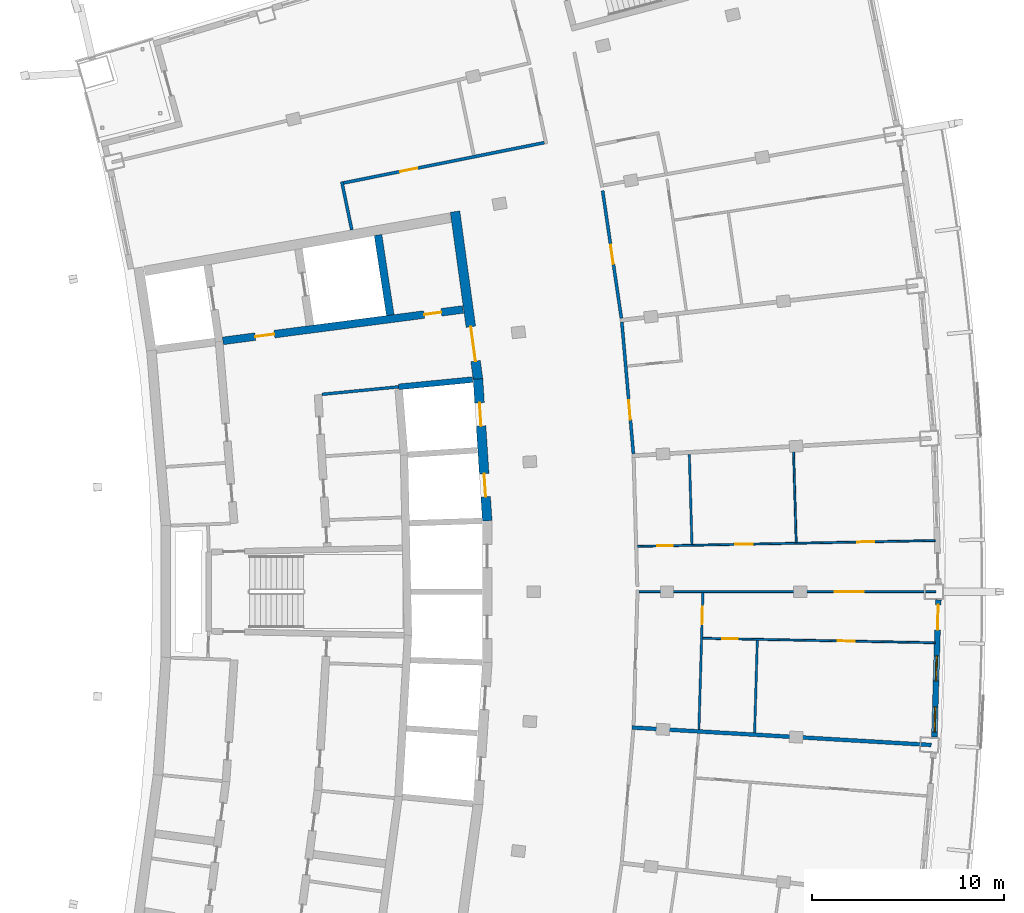
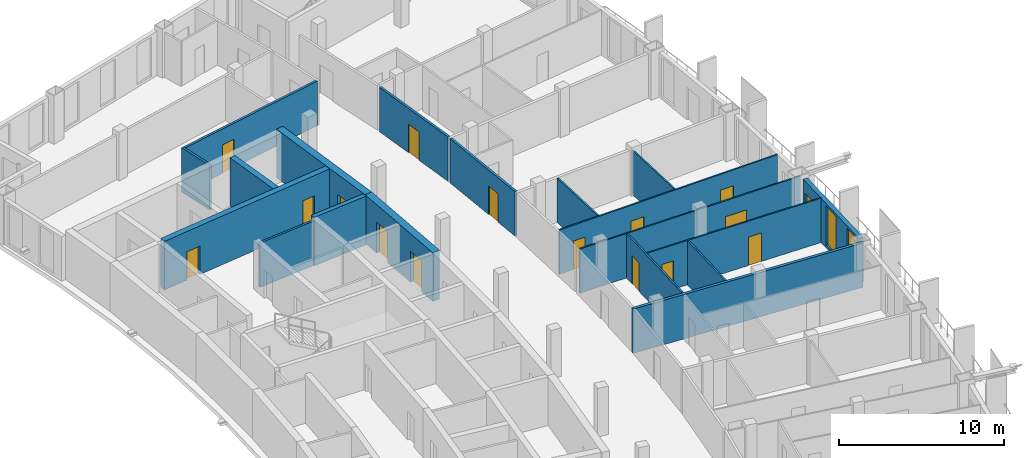
# One storey, part 11 of 20: 19 walls, 16 doors, 2 windows, 18 openings.
"""IFC4 building model written with IfcOpenShell, lengths in metres."""

from ifc_helpers import new_model, si_unit, direction, frame, frame_2d, origin, place, context, subcontext, project, spatial, rectangle, extrude, material, layer, layer_set, type_object, element, fill, save


model = new_model("IFC4")

# Units and contexts
model_context = context("Model", 3, precision=1e-05, world=origin(), true_north=direction((0.0, 1.0)))
body_context = subcontext(model_context, "Body", "Model", "MODEL_VIEW")
ifc_project = project(units=[si_unit("LENGTHUNIT", "METRE"), si_unit("AREAUNIT", "SQUARE_METRE"), si_unit("VOLUMEUNIT", "CUBIC_METRE"), si_unit("PLANEANGLEUNIT", "RADIAN"), si_unit("MASSUNIT", "GRAM", prefix="KILO")], contexts=[model_context])

# Site, building, storey
site_placement = place(None, origin())
site = spatial("IfcSite", under=ifc_project, at=site_placement, CompositionType="ELEMENT")
building_placement = place(site_placement, origin())
building = spatial("IfcBuilding", under=site, at=building_placement, Name="Alderwake Tower", CompositionType="ELEMENT")
storey_placement = place(building_placement, frame((0.0, 0.0, 263.60009765625)))
storey = spatial("IfcBuildingStorey", under=building, at=storey_placement, Name="L65", CompositionType="ELEMENT", Elevation=263.60009765625)

# Wall
ifc_material_1 = material(Name="Gypsum shaft wall system, rated")
ifc_layer_1 = layer(ifc_material_1, 0.14990234375)
ifc_layer_set_1 = layer_set([ifc_layer_1], Name="Core room partition 150")
wall_type_1 = type_object("IfcWallType", Name="Core room partition 150", PredefinedType="PARTITIONING", material=ifc_layer_set_1)
wall_1_placement = place(storey_placement, frame((24.799560546875, 71.2548828125, 0.0), z_axis=(0.0, 0.0, 1.0), x_axis=(0.995250000627, 0.097352125046, 0.0)))
element("IfcWall", 1, at=wall_1_placement, inside=storey, type_object=wall_type_1, Name="CW/L65/PR+102_+86", PredefinedType="PARTITIONING", context=body_context, shape_type="SweptSolid", body=[
    extrude(rectangle(XDim=4.0, YDim=0.14990234375, at=frame_2d((2.0, 0.0))), origin(), (0.0, 0.0, 1.0), 3.27978515625),
])

# Wall, openings, doors
ifc_material_2 = material(Name="Concrete C70/85", Category="concrete")
ifc_layer_2 = layer(ifc_material_2, 0.5)
ifc_layer_set_2 = layer_set([ifc_layer_2], Name="Core wall outer 500 C70-85")
wall_type_2 = type_object("IfcWallType", Name="Core wall outer 500 C70-85", PredefinedType="SHEAR", material=ifc_layer_set_2)
wall_2_placement = place(storey_placement, frame((33.390625, 64.679443359375, 0.0), z_axis=(0.0, 0.0, 1.0), x_axis=(-0.064980500916, 0.997886533881, 0.0)))
wall_2 = element("IfcWall", 2, at=wall_2_placement, inside=storey, type_object=wall_type_2, Name="Core wall CW.020", PredefinedType="SHEAR", context=body_context, shape_type="SweptSolid", body=[
    extrude(rectangle(XDim=7.39404296875, YDim=0.5, at=frame_2d((3.697021484375, 0.0))), origin(), (0.0, 0.0, 1.0), 3.599853515625),
])
opening_1_placement = place(wall_2_placement, frame((1.25244140625, 0.0, 0.0)))
opening_1 = element("IfcOpeningElement", 3, at=opening_1_placement, cuts=wall_2, Name="Opening LD-HP5", PredefinedType="OPENING", context=body_context, shape_type="SweptSolid", body=[
    extrude(rectangle(XDim=1.199951171875, YDim=2.300048828125, at=frame_2d((0.60009765625, 1.14990234375))), frame((0.0, 0.260009765625, 0.0), z_axis=(0.0, -1.0, 0.0), x_axis=(1.0, 0.0, 0.0)), (0.0, 0.0, 1.0), 0.52001953125),
])
opening_2_placement = place(wall_2_placement, frame((4.94091796875, 0.0, 0.0)))
opening_2 = element("IfcOpeningElement", 4, at=opening_2_placement, cuts=wall_2, Name="Opening LD-HP6", PredefinedType="OPENING", context=body_context, shape_type="SweptSolid", body=[
    extrude(rectangle(XDim=1.199951171875, YDim=2.300048828125, at=frame_2d((0.60009765625, 1.14990234375))), frame((0.0, 0.260009765625, 0.0), z_axis=(0.0, -1.0, 0.0), x_axis=(1.0, 0.0, 0.0)), (0.0, 0.0, 1.0), 0.52001953125),
])
ifc_material_3 = material(Name="Stainless steel sliding leaf", Category="steel")
door_type_1 = type_object("IfcDoorType", Name="Lift landing door 1200", OperationType="SLIDING_TO_LEFT", PredefinedType="DOOR", material=ifc_material_3)
door_1_placement = place(opening_1_placement, origin())
door_1 = element("IfcDoor", 5, at=door_1_placement, inside=storey, type_object=door_type_1, Name="Lift landing door HP5", OperationType="SLIDING_TO_LEFT", OverallHeight=2.300048828125, OverallWidth=1.199951171875, PredefinedType="DOOR", context=body_context, shape_type="SweptSolid", body=[
    extrude(rectangle(XDim=1.199951171875, YDim=2.300048828125, at=frame_2d((0.60009765625, 1.14990234375))), frame((0.0, 0.02490234375, 0.0), z_axis=(0.0, -1.0, 0.0), x_axis=(1.0, 0.0, 0.0)), (0.0, 0.0, 1.0), 0.050048828125),
])
fill(opening_1, door_1)
door_2_placement = place(opening_2_placement, origin())
door_2 = element("IfcDoor", 6, at=door_2_placement, inside=storey, type_object=door_type_1, Name="Lift landing door HP6", OperationType="SLIDING_TO_LEFT", OverallHeight=2.300048828125, OverallWidth=1.199951171875, PredefinedType="DOOR", context=body_context, shape_type="SweptSolid", body=[
    extrude(rectangle(XDim=1.199951171875, YDim=2.300048828125, at=frame_2d((0.60009765625, 1.14990234375))), frame((0.0, 0.02490234375, 0.0), z_axis=(0.0, -1.0, 0.0), x_axis=(1.0, 0.0, 0.0)), (0.0, 0.0, 1.0), 0.050048828125),
])
fill(opening_2, door_2)

# Wall, opening, door
wall_3_placement = place(storey_placement, frame((31.71728515625, 80.752685546875, 0.0), z_axis=(0.0, 0.0, 1.0), x_axis=(0.1358539401, -0.990728876615, 0.0)))
wall_3 = element("IfcWall", 7, at=wall_3_placement, inside=storey, type_object=wall_type_2, Name="Core wall CW.019", PredefinedType="SHEAR", context=body_context, shape_type="SweptSolid", body=[
    extrude(rectangle(XDim=8.794921875, YDim=0.5, at=frame_2d((4.3974609375, 0.0))), origin(), (0.0, 0.0, 1.0), 3.599853515625),
])
opening_3_placement = place(wall_3_placement, frame((6.0419921875, 0.0, 0.0)))
opening_3 = element("IfcOpeningElement", 8, at=opening_3_placement, cuts=wall_3, Name="Opening C001", PredefinedType="OPENING", context=body_context, shape_type="SweptSolid", body=[
    extrude(rectangle(XDim=1.800048828125, YDim=2.10009765625, at=frame_2d((0.89990234375, 1.050048828125))), frame((0.0, 0.260009765625, 0.0), z_axis=(0.0, -1.0, 0.0), x_axis=(1.0, 0.0, 0.0)), (0.0, 0.0, 1.0), 0.52001953125),
])
ifc_material_4 = material(Name="Steel-framed fire door leaves", Category="steel")
door_type_2 = type_object("IfcDoorType", Name="Core double door 1800 fire-rated", OperationType="DOUBLE_DOOR_SINGLE_SWING", PredefinedType="DOOR", material=ifc_material_4)
door_3_placement = place(opening_3_placement, origin())
door_3 = element("IfcDoor", 9, at=door_3_placement, inside=storey, type_object=door_type_2, Name="Lobby double door", OperationType="DOUBLE_DOOR_SINGLE_SWING", OverallHeight=2.10009765625, OverallWidth=1.800048828125, PredefinedType="DOOR", context=body_context, shape_type="SweptSolid", body=[
    extrude(rectangle(XDim=1.800048828125, YDim=2.10009765625, at=frame_2d((0.89990234375, 1.050048828125))), frame((0.0, 0.02490234375, 0.0), z_axis=(0.0, -1.0, 0.0), x_axis=(1.0, 0.0, 0.0)), (0.0, 0.0, 1.0), 0.050048828125),
])
fill(opening_3, door_3)

# Walls
ifc_material_5 = material(Name="Concrete C70/85", Category="concrete")
ifc_layer_3 = layer(ifc_material_5, 0.300048828125)
ifc_layer_set_3 = layer_set([ifc_layer_3], Name="Core wall shaft 300 C70-85")
wall_type_3 = type_object("IfcWallType", Name="Core wall shaft 300 C70-85", PredefinedType="SHEAR", material=ifc_layer_set_3)
wall_4_placement = place(storey_placement, frame((28.780517578125, 71.644287109375, 0.0), z_axis=(0.0, 0.0, 1.0), x_axis=(0.995244248631, 0.097410910928, 0.0)))
element("IfcWall", 10, at=wall_4_placement, inside=storey, type_object=wall_type_3, Name="Core wall CW.049", PredefinedType="SHEAR", context=body_context, shape_type="SweptSolid", body=[
    extrude(rectangle(XDim=3.86962890625, YDim=0.300048828125, at=frame_2d((1.934814453125, 0.0))), origin(), (0.0, 0.0, 1.0), 3.599853515625),
])
ifc_material_6 = material(Name="Concrete C70/85", Category="concrete")
ifc_layer_4 = layer(ifc_material_6, 0.39990234375)
ifc_layer_set_4 = layer_set([ifc_layer_4], Name="Core wall spine 400 C70-85")
wall_type_4 = type_object("IfcWallType", Name="Core wall spine 400 C70-85", PredefinedType="SHEAR", material=ifc_layer_set_4)
wall_5_placement = place(storey_placement, frame((28.350830078125, 75.373291015625, 0.0), z_axis=(0.0, 0.0, 1.0), x_axis=(-0.150576223774, 0.988598402201, 0.0)))
element("IfcWall", 11, at=wall_5_placement, inside=storey, type_object=wall_type_4, Name="Core wall CW.001", PredefinedType="SHEAR", context=body_context, shape_type="SweptSolid", body=[
    extrude(rectangle(XDim=4.21240234375, YDim=0.39990234375, at=frame_2d((2.106201171875, 0.0))), origin(), (0.0, 0.0, 1.0), 3.599853515625),
])

# Wall, openings, doors
wall_6_placement = place(storey_placement, frame((32.132080078125, 75.666015625, 0.0), z_axis=(0.0, 0.0, 1.0), x_axis=(-0.991555139901, -0.129685791576, 0.0)))
wall_6 = element("IfcWall", 12, at=wall_6_placement, inside=storey, type_object=wall_type_4, Name="Core wall CW.052", PredefinedType="SHEAR", context=body_context, shape_type="SweptSolid", body=[
    extrude(rectangle(XDim=12.586669921875, YDim=0.39990234375, at=frame_2d((6.29345703125, 0.0))), origin(), (0.0, 0.0, 1.0), 3.599853515625),
])
opening_4_placement = place(wall_6_placement, frame((9.88720703125, 0.0, 0.0)))
opening_4 = element("IfcOpeningElement", 13, at=opening_4_placement, cuts=wall_6, Name="Opening C002", PredefinedType="OPENING", context=body_context, shape_type="SweptSolid", body=[
    extrude(rectangle(XDim=1.0, YDim=2.10009765625, at=frame_2d((0.5, 1.050048828125))), frame((0.0, 0.2099609375, 0.0), z_axis=(0.0, -1.0, 0.0), x_axis=(1.0, 0.0, 0.0)), (0.0, 0.0, 1.0), 0.419921875),
])
opening_5_placement = place(wall_6_placement, frame((1.13720703125, 0.0, 0.0)))
opening_5 = element("IfcOpeningElement", 14, at=opening_5_placement, cuts=wall_6, Name="Opening C020", PredefinedType="OPENING", context=body_context, shape_type="SweptSolid", body=[
    extrude(rectangle(XDim=0.89990234375, YDim=2.10009765625, at=frame_2d((0.449951171875, 1.050048828125))), frame((0.0, 0.2099609375, 0.0), z_axis=(0.0, -1.0, 0.0), x_axis=(1.0, 0.0, 0.0)), (0.0, 0.0, 1.0), 0.419921875),
])
ifc_material_7 = material(Name="Painted steel leaf", Category="steel")
door_type_3 = type_object("IfcDoorType", Name="Core room door 900", OperationType="SINGLE_SWING_LEFT", PredefinedType="DOOR", material=ifc_material_7)
door_4_placement = place(opening_5_placement, origin())
door_4 = element("IfcDoor", 15, at=door_4_placement, inside=storey, type_object=door_type_3, Name="Room door", OperationType="SINGLE_SWING_LEFT", OverallHeight=2.10009765625, OverallWidth=0.89990234375, PredefinedType="DOOR", context=body_context, shape_type="SweptSolid", body=[
    extrude(rectangle(XDim=0.89990234375, YDim=2.10009765625, at=frame_2d((0.449951171875, 1.050048828125))), frame((0.0, 0.02490234375, 0.0), z_axis=(0.0, -1.0, 0.0), x_axis=(1.0, 0.0, 0.0)), (0.0, 0.0, 1.0), 0.050048828125),
])
fill(opening_5, door_4)
ifc_material_8 = material(Name="Steel-framed fire door leaf", Category="steel")
door_type_4 = type_object("IfcDoorType", Name="Firefighting lobby door 1000 fire-rated", OperationType="SINGLE_SWING_LEFT", PredefinedType="DOOR", material=ifc_material_8)
door_5_placement = place(opening_4_placement, origin())
door_5 = element("IfcDoor", 16, at=door_5_placement, inside=storey, type_object=door_type_4, Name="Firefighting lobby door", OperationType="SINGLE_SWING_RIGHT", OverallHeight=2.10009765625, OverallWidth=1.0, PredefinedType="DOOR", context=body_context, shape_type="SweptSolid", body=[
    extrude(rectangle(XDim=1.0, YDim=2.10009765625, at=frame_2d((0.5, 1.050048828125))), frame((0.0, 0.02490234375, 0.0), z_axis=(0.0, -1.0, 0.0), x_axis=(1.0, 0.0, 0.0)), (0.0, 0.0, 1.0), 0.050048828125),
])
fill(opening_4, door_5)

# Wall
ifc_material_9 = material(Name="Gypsum board on metal studs, rated")
ifc_layer_5 = layer(ifc_material_9, 0.159912109375)
ifc_layer_set_5 = layer_set([ifc_layer_5], Name="Corridor wall 160")
wall_type_5 = type_object("IfcWallType", Name="Corridor wall 160", PredefinedType="PARTITIONING", material=ifc_layer_set_5)
wall_7_placement = place(storey_placement, frame((25.831787109375, 82.305419921875, 0.0), z_axis=(0.0, 0.0, 1.0), x_axis=(0.202450797205, -0.979292435747, 0.0)))
element("IfcWall", 17, at=wall_7_placement, inside=storey, type_object=wall_type_5, Name="WL/L65/W12", PredefinedType="PARTITIONING", context=body_context, shape_type="SweptSolid", body=[
    extrude(rectangle(XDim=2.555419921875, YDim=0.159912109375, at=frame_2d((1.27783203125, 0.0))), origin(), (0.0, 0.0, 1.0), 3.27978515625),
])

# Wall, opening, door
wall_8_placement = place(storey_placement, frame((25.926513671875, 82.24267578125, 0.0), z_axis=(0.0, 0.0, 1.0), x_axis=(0.98046310274, 0.196703086316, 0.0)))
wall_8 = element("IfcWall", 18, at=wall_8_placement, inside=storey, type_object=wall_type_5, Name="WL/L65/W18", PredefinedType="PARTITIONING", context=body_context, shape_type="SweptSolid", body=[
    extrude(rectangle(XDim=10.637939453125, YDim=0.159912109375, at=frame_2d((5.31884765625, 0.0))), origin(), (0.0, 0.0, 1.0), 3.27978515625),
])
opening_6_placement = place(wall_8_placement, frame((3.009033203125, 0.0, 0.0)))
opening_6 = element("IfcOpeningElement", 19, at=opening_6_placement, cuts=wall_8, Name="Opening R18-SBN1", PredefinedType="OPENING", context=body_context, shape_type="SweptSolid", body=[
    extrude(rectangle(XDim=0.89990234375, YDim=2.10009765625, at=frame_2d((0.449951171875, 1.050048828125))), frame((0.0, 0.08984375, 0.0), z_axis=(0.0, -1.0, 0.0), x_axis=(1.0, 0.0, 0.0)), (0.0, 0.0, 1.0), 0.179931640625),
])
ifc_material_10 = material(Name="Painted timber leaf", Category="wood")
door_type_5 = type_object("IfcDoorType", Name="Room door 900", OperationType="SINGLE_SWING_LEFT", PredefinedType="DOOR", material=ifc_material_10)
door_6_placement = place(opening_6_placement, origin())
door_6 = element("IfcDoor", 20, at=door_6_placement, inside=storey, type_object=door_type_5, Name="DR/L65/SBN1", OperationType="SINGLE_SWING_LEFT", OverallHeight=2.10009765625, OverallWidth=0.89990234375, PredefinedType="DOOR", context=body_context, shape_type="SweptSolid", body=[
    extrude(rectangle(XDim=0.89990234375, YDim=2.10009765625, at=frame_2d((0.449951171875, 1.050048828125))), frame((0.0, 0.02490234375, 0.0), z_axis=(0.0, -1.0, 0.0), x_axis=(1.0, 0.0, 0.0)), (0.0, 0.0, 1.0), 0.050048828125),
])
fill(opening_6, door_6)

wall_9_placement = place(storey_placement, frame((39.38671875, 81.837158203125, 0.0), z_axis=(0.0, 0.0, 1.0), x_axis=(0.145576845789, -0.989346947218, 0.0)))
wall_9 = element("IfcWall", 21, at=wall_9_placement, inside=storey, type_object=wall_type_5, Name="WL/L65/W23", PredefinedType="PARTITIONING", context=body_context, shape_type="SweptSolid", body=[
    extrude(rectangle(XDim=6.701416015625, YDim=0.159912109375, at=frame_2d((3.3505859375, 0.0))), origin(), (0.0, 0.0, 1.0), 3.27978515625),
])
opening_7_placement = place(wall_9_placement, frame((2.850830078125, 0.0, 0.0)))
opening_7 = element("IfcOpeningElement", 22, at=opening_7_placement, cuts=wall_9, Name="Opening R18-U07.1", PredefinedType="OPENING", context=body_context, shape_type="SweptSolid", body=[
    extrude(rectangle(XDim=1.0, YDim=2.10009765625, at=frame_2d((0.5, 1.050048828125))), frame((0.0, 0.08984375, 0.0), z_axis=(0.0, -1.0, 0.0), x_axis=(1.0, 0.0, 0.0)), (0.0, 0.0, 1.0), 0.179931640625),
])
ifc_material_11 = material(Name="Solid timber leaf in steel frame", Category="steel")
door_type_6 = type_object("IfcDoorType", Name="Flat entrance door 1000 fire-rated", OperationType="SINGLE_SWING_LEFT", PredefinedType="DOOR", material=ifc_material_11)
door_7_placement = place(opening_7_placement, origin())
door_7 = element("IfcDoor", 23, at=door_7_placement, inside=storey, type_object=door_type_6, Name="DR/L65/U07.1", OperationType="SINGLE_SWING_LEFT", OverallHeight=2.10009765625, OverallWidth=1.0, PredefinedType="DOOR", context=body_context, shape_type="SweptSolid", body=[
    extrude(rectangle(XDim=1.0, YDim=2.10009765625, at=frame_2d((0.5, 1.050048828125))), frame((0.0, 0.02490234375, 0.0), z_axis=(0.0, -1.0, 0.0), x_axis=(1.0, 0.0, 0.0)), (0.0, 0.0, 1.0), 0.050048828125),
])
fill(opening_7, door_7)

wall_10_placement = place(storey_placement, frame((40.3857421875, 75.00830078125, 0.0), z_axis=(0.0, 0.0, 1.0), x_axis=(0.087448731147, -0.996169021512, 0.0)))
wall_10 = element("IfcWall", 24, at=wall_10_placement, inside=storey, type_object=wall_type_5, Name="WL/L65/W25", PredefinedType="PARTITIONING", context=body_context, shape_type="SweptSolid", body=[
    extrude(rectangle(XDim=6.867919921875, YDim=0.159912109375, at=frame_2d((3.43408203125, 0.0))), origin(), (0.0, 0.0, 1.0), 3.27978515625),
])
opening_8_placement = place(wall_10_placement, frame((4.085693359375, 0.0, 0.0)))
opening_8 = element("IfcOpeningElement", 25, at=opening_8_placement, cuts=wall_10, Name="Opening R18-U06.1", PredefinedType="OPENING", context=body_context, shape_type="SweptSolid", body=[
    extrude(rectangle(XDim=1.0, YDim=2.10009765625, at=frame_2d((0.5, 1.050048828125))), frame((0.0, 0.08984375, 0.0), z_axis=(0.0, -1.0, 0.0), x_axis=(1.0, 0.0, 0.0)), (0.0, 0.0, 1.0), 0.179931640625),
])
door_8_placement = place(opening_8_placement, origin())
door_8 = element("IfcDoor", 26, at=door_8_placement, inside=storey, type_object=door_type_6, Name="DR/L65/U06.1", OperationType="SINGLE_SWING_LEFT", OverallHeight=2.10009765625, OverallWidth=1.0, PredefinedType="DOOR", context=body_context, shape_type="SweptSolid", body=[
    extrude(rectangle(XDim=1.0, YDim=2.10009765625, at=frame_2d((0.5, 1.050048828125))), frame((0.0, 0.02490234375, 0.0), z_axis=(0.0, -1.0, 0.0), x_axis=(1.0, 0.0, 0.0)), (0.0, 0.0, 1.0), 0.050048828125),
])
fill(opening_8, door_8)

# Wall, openings, door, windows
ifc_material_12 = material(Name="Precast concrete C50/60 spandrel panel", Category="concrete")
ifc_layer_6 = layer(ifc_material_12, 0.300048828125)
ifc_layer_set_6 = layer_set([ifc_layer_6], Name="External wall EW1 Precast concrete C50/60 spandrel")
wall_type_6 = type_object("IfcWallType", Name="External wall EW1 Precast concrete C50/60 spandrel", PredefinedType="SOLIDWALL", material=ifc_layer_set_6)
wall_11_placement = place(storey_placement, frame((56.62939453125, 53.443115234375, 0.0), z_axis=(0.0, 0.0, 1.0), x_axis=(0.029172920449, 0.99957437978, 0.0)))
wall_11 = element("IfcWall", 27, at=wall_11_placement, inside=storey, type_object=wall_type_6, Name="External wall 15", PredefinedType="SOLIDWALL", context=body_context, shape_type="SweptSolid", body=[
    extrude(rectangle(XDim=7.138427734375, YDim=0.300048828125, at=frame_2d((3.5693359375, 0.0))), origin(), (0.0, 0.0, 1.0), 3.27978515625),
])
opening_9_placement = place(wall_11_placement, frame((0.263427734375, 0.0, 0.199951171875)))
opening_9 = element("IfcOpeningElement", 28, at=opening_9_placement, cuts=wall_11, Name="Opening W1", PredefinedType="OPENING", context=body_context, shape_type="SweptSolid", body=[
    extrude(rectangle(XDim=1.300048828125, YDim=2.89990234375, at=frame_2d((0.64990234375, 1.449951171875))), frame((0.0, 0.159912109375, 0.0), z_axis=(0.0, -1.0, 0.0), x_axis=(1.0, 0.0, 0.0)), (0.0, 0.0, 1.0), 0.320068359375),
])
opening_10_placement = place(wall_11_placement, frame((2.919189453125, 0.0, 0.199951171875)))
opening_10 = element("IfcOpeningElement", 29, at=opening_10_placement, cuts=wall_11, Name="Opening W1", PredefinedType="OPENING", context=body_context, shape_type="SweptSolid", body=[
    extrude(rectangle(XDim=1.300048828125, YDim=2.89990234375, at=frame_2d((0.64990234375, 1.449951171875))), frame((0.0, 0.159912109375, 0.0), z_axis=(0.0, -1.0, 0.0), x_axis=(1.0, 0.0, 0.0)), (0.0, 0.0, 1.0), 0.320068359375),
])
opening_11_placement = place(wall_11_placement, frame((5.574951171875, 0.0, 0.0)))
opening_11 = element("IfcOpeningElement", 30, at=opening_11_placement, cuts=wall_11, Name="Opening D05", PredefinedType="OPENING", context=body_context, shape_type="SweptSolid", body=[
    extrude(rectangle(XDim=1.300048828125, YDim=2.39990234375, at=frame_2d((0.64990234375, 1.199951171875))), frame((0.0, 0.159912109375, 0.0), z_axis=(0.0, -1.0, 0.0), x_axis=(1.0, 0.0, 0.0)), (0.0, 0.0, 1.0), 0.320068359375),
])
ifc_material_13 = material(Name="Bronze tinted glass in aluminium frame", Category="aluminium")
door_type_7 = type_object("IfcDoorType", Name="Balcony door BD sliding", OperationType="SLIDING_TO_LEFT", PredefinedType="DOOR", material=ifc_material_13)
door_9_placement = place(opening_11_placement, origin())
door_9 = element("IfcDoor", 31, at=door_9_placement, inside=storey, type_object=door_type_7, Name="Door D05", OperationType="SLIDING_TO_LEFT", OverallHeight=2.39990234375, OverallWidth=1.300048828125, PredefinedType="DOOR", context=body_context, shape_type="SweptSolid", body=[
    extrude(rectangle(XDim=1.300048828125, YDim=2.39990234375, at=frame_2d((0.64990234375, 1.199951171875))), frame((0.0, 0.02490234375, 0.0), z_axis=(0.0, -1.0, 0.0), x_axis=(1.0, 0.0, 0.0)), (0.0, 0.0, 1.0), 0.050048828125),
])
fill(opening_11, door_9)
ifc_material_14 = material(Name="Bronze tinted glass in aluminium frame", Category="aluminium")
window_type = type_object("IfcWindowType", Name="Window W1 tall fixed and vent", PartitioningType="DOUBLE_PANEL_VERTICAL", PredefinedType="WINDOW", material=ifc_material_14)
window_1_placement = place(opening_9_placement, origin())
window_1 = element("IfcWindow", 32, at=window_1_placement, inside=storey, type_object=window_type, Name="Window W1 tall fixed and vent", OverallHeight=2.89990234375, OverallWidth=1.300048828125, PartitioningType="DOUBLE_PANEL_VERTICAL", PredefinedType="WINDOW", context=body_context, shape_type="SweptSolid", body=[
    extrude(rectangle(XDim=1.300048828125, YDim=2.89990234375, at=frame_2d((0.64990234375, 1.449951171875))), frame((0.0, 0.030029296875, 0.0), z_axis=(0.0, -1.0, 0.0), x_axis=(1.0, 0.0, 0.0)), (0.0, 0.0, 1.0), 0.06005859375),
])
fill(opening_9, window_1)
window_2_placement = place(opening_10_placement, origin())
window_2 = element("IfcWindow", 33, at=window_2_placement, inside=storey, type_object=window_type, Name="Window W1 tall fixed and vent", OverallHeight=2.89990234375, OverallWidth=1.300048828125, PartitioningType="DOUBLE_PANEL_VERTICAL", PredefinedType="WINDOW", context=body_context, shape_type="SweptSolid", body=[
    extrude(rectangle(XDim=1.300048828125, YDim=2.89990234375, at=frame_2d((0.64990234375, 1.449951171875))), frame((0.0, 0.030029296875, 0.0), z_axis=(0.0, -1.0, 0.0), x_axis=(1.0, 0.0, 0.0)), (0.0, 0.0, 1.0), 0.06005859375),
])
fill(opening_10, window_2)

# Wall
ifc_material_15 = material(Name="Dense block masonry wall", Category="masonry")
ifc_layer_7 = layer(ifc_material_15, 0.199951171875)
ifc_layer_set_7 = layer_set([ifc_layer_7], Name="Party wall 200")
wall_type_7 = type_object("IfcWallType", Name="Party wall 200", PredefinedType="SOLIDWALL", material=ifc_layer_set_7)
wall_12_placement = place(storey_placement, frame((56.466064453125, 53.031005859375, 0.0), z_axis=(0.0, 0.0, 1.0), x_axis=(-0.998300806671, 0.058270913845, 0.0)))
element("IfcWall", 34, at=wall_12_placement, inside=storey, type_object=wall_type_7, Name="WL/L65/W03", PredefinedType="SOLIDWALL", context=body_context, shape_type="SweptSolid", body=[
    extrude(rectangle(XDim=15.577392578125, YDim=0.199951171875, at=frame_2d((7.78857421875, 0.0))), origin(), (0.0, 0.0, 1.0), 3.27978515625),
])

# Wall, openings, doors
ifc_material_16 = material(Name="Gypsum board on metal studs")
ifc_layer_8 = layer(ifc_material_16, 0.10009765625)
ifc_layer_set_8 = layer_set([ifc_layer_8], Name="Unit partition 100")
wall_type_8 = type_object("IfcWallType", Name="Unit partition 100", PredefinedType="PARTITIONING", material=ifc_layer_set_8)
wall_13_placement = place(storey_placement, frame((41.2099609375, 63.355712890625, 0.0), z_axis=(0.0, 0.0, 1.0), x_axis=(0.999810180872, 0.019483383286, 0.0)))
wall_13 = element("IfcWall", 35, at=wall_13_placement, inside=storey, type_object=wall_type_8, Name="WL/L65/W46", PredefinedType="PARTITIONING", context=body_context, shape_type="SweptSolid", body=[
    extrude(rectangle(XDim=15.462890625, YDim=0.10009765625, at=frame_2d((7.7314453125, 0.0))), origin(), (0.0, 0.0, 1.0), 3.27978515625),
])
opening_12_placement = place(wall_13_placement, frame((5.079833984375, 0.0, 0.0)))
opening_12 = element("IfcOpeningElement", 36, at=opening_12_placement, cuts=wall_13, Name="Opening R18-U05.5", PredefinedType="OPENING", context=body_context, shape_type="SweptSolid", body=[
    extrude(rectangle(XDim=0.89990234375, YDim=2.10009765625, at=frame_2d((0.449951171875, 1.050048828125))), frame((0.0, 0.06005859375, 0.0), z_axis=(0.0, -1.0, 0.0), x_axis=(1.0, 0.0, 0.0)), (0.0, 0.0, 1.0), 0.1201171875),
])
opening_13_placement = place(wall_13_placement, frame((1.010009765625, 0.0, 0.0)))
opening_13 = element("IfcOpeningElement", 37, at=opening_13_placement, cuts=wall_13, Name="Opening R18-U05.6", PredefinedType="OPENING", context=body_context, shape_type="SweptSolid", body=[
    extrude(rectangle(XDim=0.800048828125, YDim=2.10009765625, at=frame_2d((0.39990234375, 1.050048828125))), frame((0.0, 0.06005859375, 0.0), z_axis=(0.0, -1.0, 0.0), x_axis=(1.0, 0.0, 0.0)), (0.0, 0.0, 1.0), 0.1201171875),
])
opening_14_placement = place(wall_13_placement, frame((11.401123046875, 0.0, 0.0)))
opening_14 = element("IfcOpeningElement", 38, at=opening_14_placement, cuts=wall_13, Name="Opening R18-U05.7", PredefinedType="OPENING", context=body_context, shape_type="SweptSolid", body=[
    extrude(rectangle(XDim=0.89990234375, YDim=2.10009765625, at=frame_2d((0.449951171875, 1.050048828125))), frame((0.0, 0.06005859375, 0.0), z_axis=(0.0, -1.0, 0.0), x_axis=(1.0, 0.0, 0.0)), (0.0, 0.0, 1.0), 0.1201171875),
])
ifc_material_17 = material(Name="Painted timber leaf", Category="wood")
door_type_8 = type_object("IfcDoorType", Name="Bathroom door 800", OperationType="SINGLE_SWING_LEFT", PredefinedType="DOOR", material=ifc_material_17)
door_10_placement = place(opening_13_placement, origin())
door_10 = element("IfcDoor", 39, at=door_10_placement, inside=storey, type_object=door_type_8, Name="DR/L65/U05.6", OperationType="SINGLE_SWING_LEFT", OverallHeight=2.10009765625, OverallWidth=0.800048828125, PredefinedType="DOOR", context=body_context, shape_type="SweptSolid", body=[
    extrude(rectangle(XDim=0.800048828125, YDim=2.10009765625, at=frame_2d((0.39990234375, 1.050048828125))), frame((0.0, 0.02490234375, 0.0), z_axis=(0.0, -1.0, 0.0), x_axis=(1.0, 0.0, 0.0)), (0.0, 0.0, 1.0), 0.050048828125),
])
fill(opening_13, door_10)
door_11_placement = place(opening_12_placement, origin())
door_11 = element("IfcDoor", 40, at=door_11_placement, inside=storey, type_object=door_type_5, Name="DR/L65/U05.5", OperationType="SINGLE_SWING_LEFT", OverallHeight=2.10009765625, OverallWidth=0.89990234375, PredefinedType="DOOR", context=body_context, shape_type="SweptSolid", body=[
    extrude(rectangle(XDim=0.89990234375, YDim=2.10009765625, at=frame_2d((0.449951171875, 1.050048828125))), frame((0.0, 0.02490234375, 0.0), z_axis=(0.0, -1.0, 0.0), x_axis=(1.0, 0.0, 0.0)), (0.0, 0.0, 1.0), 0.050048828125),
])
fill(opening_12, door_11)
door_12_placement = place(opening_14_placement, origin())
door_12 = element("IfcDoor", 41, at=door_12_placement, inside=storey, type_object=door_type_5, Name="DR/L65/U05.7", OperationType="SINGLE_SWING_LEFT", OverallHeight=2.10009765625, OverallWidth=0.89990234375, PredefinedType="DOOR", context=body_context, shape_type="SweptSolid", body=[
    extrude(rectangle(XDim=0.89990234375, YDim=2.10009765625, at=frame_2d((0.449951171875, 1.050048828125))), frame((0.0, 0.02490234375, 0.0), z_axis=(0.0, -1.0, 0.0), x_axis=(1.0, 0.0, 0.0)), (0.0, 0.0, 1.0), 0.050048828125),
])
fill(opening_14, door_12)

# Wall, opening, door
wall_14_placement = place(storey_placement, frame((41.279052734375, 60.9990234375, 0.0), z_axis=(0.0, 0.0, 1.0), x_axis=(1.0, 0.0, 0.0)))
wall_14 = element("IfcWall", 42, at=wall_14_placement, inside=storey, type_object=wall_type_8, Name="WL/L65/W47", PredefinedType="PARTITIONING", context=body_context, shape_type="SweptSolid", body=[
    extrude(rectangle(XDim=15.4208984375, YDim=0.10009765625, at=frame_2d((7.71044921875, 0.0))), origin(), (0.0, 0.0, 1.0), 3.27978515625),
])
opening_15_placement = place(wall_14_placement, frame((10.1748046875, 0.0, 0.0)))
opening_15 = element("IfcOpeningElement", 43, at=opening_15_placement, cuts=wall_14, Name="Opening R18-U05.8", PredefinedType="OPENING", context=body_context, shape_type="SweptSolid", body=[
    extrude(rectangle(XDim=1.5, YDim=2.10009765625, at=frame_2d((0.75, 1.050048828125))), frame((0.0, 0.06005859375, 0.0), z_axis=(0.0, -1.0, 0.0), x_axis=(1.0, 0.0, 0.0)), (0.0, 0.0, 1.0), 0.1201171875),
])
ifc_material_18 = material(Name="Painted timber leaves", Category="wood")
door_type_9 = type_object("IfcDoorType", Name="Double leaf door 1500", OperationType="DOUBLE_DOOR_SINGLE_SWING", PredefinedType="DOOR", material=ifc_material_18)
door_13_placement = place(opening_15_placement, origin())
door_13 = element("IfcDoor", 44, at=door_13_placement, inside=storey, type_object=door_type_9, Name="DR/L65/U05.8", OperationType="DOUBLE_DOOR_SINGLE_SWING", OverallHeight=2.10009765625, OverallWidth=1.5, PredefinedType="DOOR", context=body_context, shape_type="SweptSolid", body=[
    extrude(rectangle(XDim=1.5, YDim=2.10009765625, at=frame_2d((0.75, 1.050048828125))), frame((0.0, 0.02490234375, 0.0), z_axis=(0.0, -1.0, 0.0), x_axis=(1.0, 0.0, 0.0)), (0.0, 0.0, 1.0), 0.050048828125),
])
fill(opening_15, door_13)

# Wall, openings, doors
wall_15_placement = place(storey_placement, frame((56.669921875, 58.343994140625, 0.0), z_axis=(0.0, 0.0, 1.0), x_axis=(-0.999814205154, 0.01927576646, 0.0)))
wall_15 = element("IfcWall", 45, at=wall_15_placement, inside=storey, type_object=wall_type_8, Name="WL/L65/W51", PredefinedType="PARTITIONING", context=body_context, shape_type="SweptSolid", body=[
    extrude(rectangle(XDim=12.0830078125, YDim=0.10009765625, at=frame_2d((6.04150390625, 0.0))), origin(), (0.0, 0.0, 1.0), 3.27978515625),
])
opening_16_placement = place(wall_15_placement, frame((10.263671875, 0.0, 0.0)))
opening_16 = element("IfcOpeningElement", 46, at=opening_16_placement, cuts=wall_15, Name="Opening R18-U05.3", PredefinedType="OPENING", context=body_context, shape_type="SweptSolid", body=[
    extrude(rectangle(XDim=0.800048828125, YDim=2.10009765625, at=frame_2d((0.39990234375, 1.050048828125))), frame((0.0, 0.06005859375, 0.0), z_axis=(0.0, -1.0, 0.0), x_axis=(1.0, 0.0, 0.0)), (0.0, 0.0, 1.0), 0.1201171875),
])
opening_17_placement = place(wall_15_placement, frame((4.172119140625, 0.0, 0.0)))
opening_17 = element("IfcOpeningElement", 47, at=opening_17_placement, cuts=wall_15, Name="Opening R18-U05.4", PredefinedType="OPENING", context=body_context, shape_type="SweptSolid", body=[
    extrude(rectangle(XDim=0.89990234375, YDim=2.10009765625, at=frame_2d((0.449951171875, 1.050048828125))), frame((0.0, 0.06005859375, 0.0), z_axis=(0.0, -1.0, 0.0), x_axis=(1.0, 0.0, 0.0)), (0.0, 0.0, 1.0), 0.1201171875),
])
door_14_placement = place(opening_16_placement, origin())
door_14 = element("IfcDoor", 48, at=door_14_placement, inside=storey, type_object=door_type_8, Name="DR/L65/U05.3", OperationType="SINGLE_SWING_LEFT", OverallHeight=2.10009765625, OverallWidth=0.800048828125, PredefinedType="DOOR", context=body_context, shape_type="SweptSolid", body=[
    extrude(rectangle(XDim=0.800048828125, YDim=2.10009765625, at=frame_2d((0.39990234375, 1.050048828125))), frame((0.0, 0.02490234375, 0.0), z_axis=(0.0, -1.0, 0.0), x_axis=(1.0, 0.0, 0.0)), (0.0, 0.0, 1.0), 0.050048828125),
])
fill(opening_16, door_14)
door_15_placement = place(opening_17_placement, origin())
door_15 = element("IfcDoor", 49, at=door_15_placement, inside=storey, type_object=door_type_5, Name="DR/L65/U05.4", OperationType="SINGLE_SWING_LEFT", OverallHeight=2.10009765625, OverallWidth=0.89990234375, PredefinedType="DOOR", context=body_context, shape_type="SweptSolid", body=[
    extrude(rectangle(XDim=0.89990234375, YDim=2.10009765625, at=frame_2d((0.449951171875, 1.050048828125))), frame((0.0, 0.02490234375, 0.0), z_axis=(0.0, -1.0, 0.0), x_axis=(1.0, 0.0, 0.0)), (0.0, 0.0, 1.0), 0.050048828125),
])
fill(opening_17, door_15)

# Walls
wall_16_placement = place(storey_placement, frame((49.447509765625, 63.56591796875, 0.0), z_axis=(0.0, 0.0, 1.0), x_axis=(-0.029180270557, 0.999574165237, 0.0)))
element("IfcWall", 50, at=wall_16_placement, inside=storey, type_object=wall_type_8, Name="WL/L65/W53", PredefinedType="PARTITIONING", context=body_context, shape_type="SweptSolid", body=[
    extrude(rectangle(XDim=4.88623046875, YDim=0.10009765625, at=frame_2d((2.443115234375, 0.0))), origin(), (0.0, 0.0, 1.0), 3.27978515625),
])
ifc_material_19 = material(Name="Moisture resistant gypsum board on metal studs")
ifc_layer_9 = layer(ifc_material_19, 0.1201171875)
ifc_layer_set_9 = layer_set([ifc_layer_9], Name="Wet room partition 120")
wall_type_9 = type_object("IfcWallType", Name="Wet room partition 120", PredefinedType="PARTITIONING", material=ifc_layer_set_9)
wall_17_placement = place(storey_placement, frame((44.029541015625, 63.4609375, 0.0), z_axis=(0.0, 0.0, 1.0), x_axis=(-0.029237951874, 0.999572479698, 0.0)))
element("IfcWall", 51, at=wall_17_placement, inside=storey, type_object=wall_type_9, Name="WL/L65/W38", PredefinedType="PARTITIONING", context=body_context, shape_type="SweptSolid", body=[
    extrude(rectangle(XDim=4.676025390625, YDim=0.1201171875, at=frame_2d((2.337890625, 0.0))), origin(), (0.0, 0.0, 1.0), 3.27978515625),
])

# Wall, opening, door
wall_18_placement = place(storey_placement, frame((44.599609375, 60.948974609375, 0.0), z_axis=(0.0, 0.0, 1.0), x_axis=(-0.029333519004, -0.999569679744, 0.0)))
wall_18 = element("IfcWall", 52, at=wall_18_placement, inside=storey, type_object=wall_type_9, Name="WL/L65/W40", PredefinedType="PARTITIONING", context=body_context, shape_type="SweptSolid", body=[
    extrude(rectangle(XDim=7.1162109375, YDim=0.1201171875, at=frame_2d((3.55810546875, 0.0))), origin(), (0.0, 0.0, 1.0), 3.27978515625),
])
opening_18_placement = place(wall_18_placement, frame((0.735595703125, 0.0, 0.0)))
opening_18 = element("IfcOpeningElement", 53, at=opening_18_placement, cuts=wall_18, Name="Opening R18-U05.2", PredefinedType="OPENING", context=body_context, shape_type="SweptSolid", body=[
    extrude(rectangle(XDim=0.89990234375, YDim=2.10009765625, at=frame_2d((0.449951171875, 1.050048828125))), frame((0.0, 0.070068359375, 0.0), z_axis=(0.0, -1.0, 0.0), x_axis=(1.0, 0.0, 0.0)), (0.0, 0.0, 1.0), 0.14013671875),
])
door_16_placement = place(opening_18_placement, origin())
door_16 = element("IfcDoor", 54, at=door_16_placement, inside=storey, type_object=door_type_5, Name="DR/L65/U05.2", OperationType="SINGLE_SWING_LEFT", OverallHeight=2.10009765625, OverallWidth=0.89990234375, PredefinedType="DOOR", context=body_context, shape_type="SweptSolid", body=[
    extrude(rectangle(XDim=0.89990234375, YDim=2.10009765625, at=frame_2d((0.449951171875, 1.050048828125))), frame((0.0, 0.02490234375, 0.0), z_axis=(0.0, -1.0, 0.0), x_axis=(1.0, 0.0, 0.0)), (0.0, 0.0, 1.0), 0.050048828125),
])
fill(opening_18, door_16)

# Wall
wall_19_placement = place(storey_placement, frame((47.285888671875, 53.66796875, 0.0), z_axis=(0.0, 0.0, 1.0), x_axis=(0.029063100448, 0.999577578876, 0.0)))
element("IfcWall", 55, at=wall_19_placement, inside=storey, type_object=wall_type_9, Name="WL/L65/W43", PredefinedType="PARTITIONING", context=body_context, shape_type="SweptSolid", body=[
    extrude(rectangle(XDim=4.804931640625, YDim=0.1201171875, at=frame_2d((2.40234375, 0.0))), origin(), (0.0, 0.0, 1.0), 3.27978515625),
])

save(model, "model.ifc")
